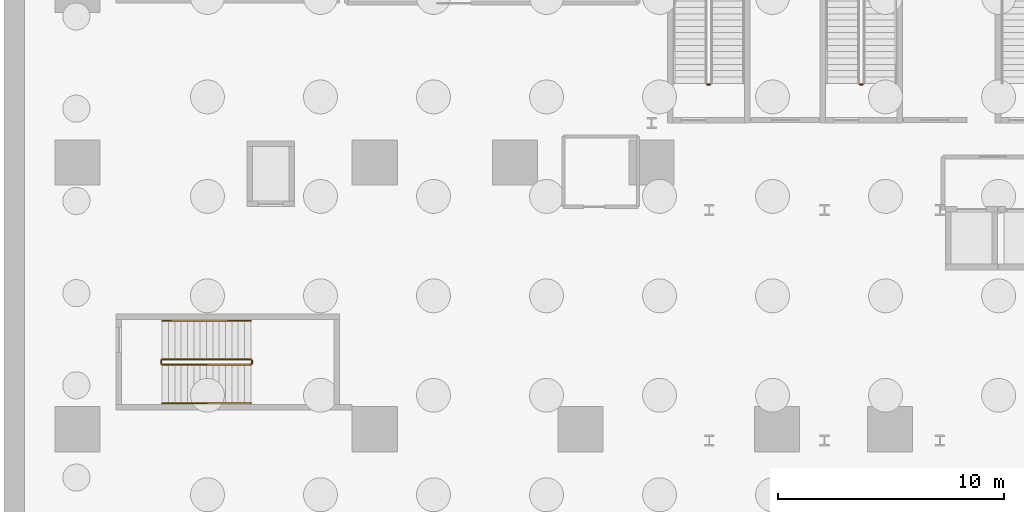
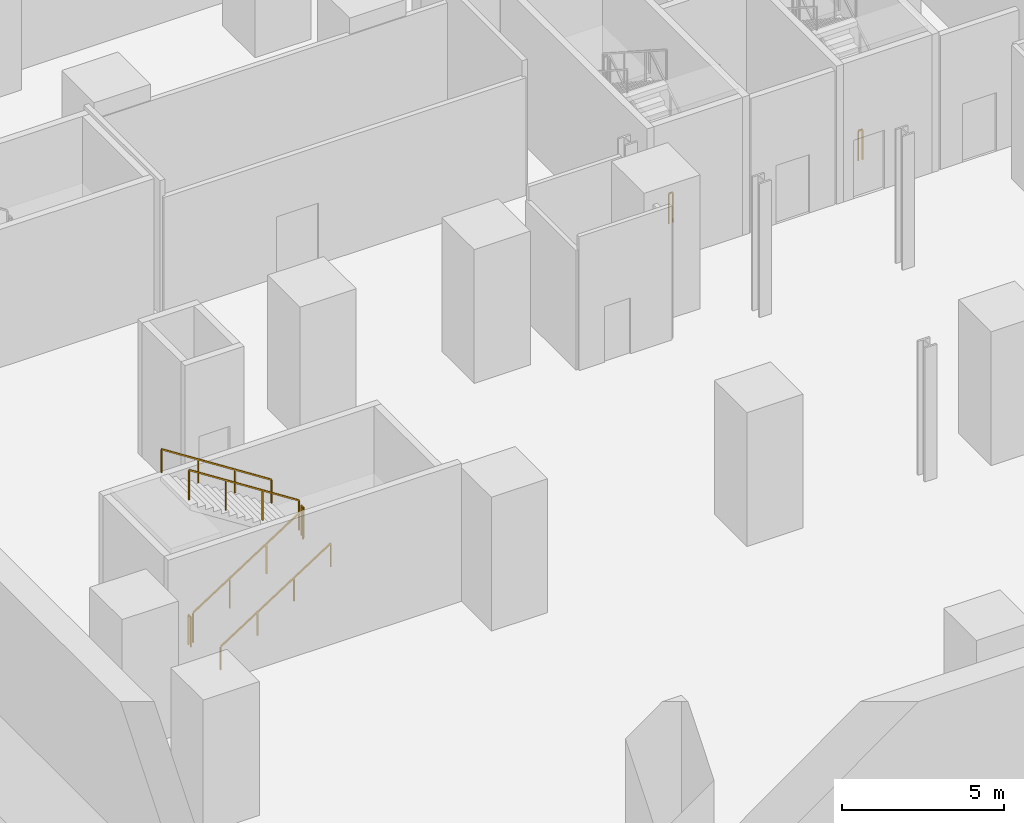
# One storey, part 8 of 14: 8 railings.
"""IFC4 building model written with IfcOpenShell, lengths in metres."""

from ifc_helpers import new_model, si_unit, direction, frame, origin, origin_2d, place, context, subcontext, project, spatial, rectangle, extrude, source, transform, mapped, material, type_object, element, save


model = new_model("IFC4")

# Units and contexts
model_context = context("Model", 3, precision=1e-05, world=origin(), true_north=direction((0.0, 1.0)))
body_context = subcontext(model_context, "Body", "Model", "MODEL_VIEW")
ifc_project = project(units=[si_unit("LENGTHUNIT", "METRE"), si_unit("AREAUNIT", "SQUARE_METRE"), si_unit("VOLUMEUNIT", "CUBIC_METRE"), si_unit("PLANEANGLEUNIT", "RADIAN"), si_unit("MASSUNIT", "GRAM", prefix="KILO")], contexts=[model_context])

# Site, building, storey
site_placement = place(None, origin())
site = spatial("IfcSite", under=ifc_project, at=site_placement, CompositionType="ELEMENT")
building_placement = place(site_placement, origin())
building = spatial("IfcBuilding", under=site, at=building_placement, Name="Vardaveli Station Tower", CompositionType="ELEMENT")
storey_placement = place(building_placement, frame((0.0, 0.0, -11.39990234375)))
storey = spatial("IfcBuildingStorey", under=building, at=storey_placement, Name="B02", CompositionType="ELEMENT", Elevation=-11.39990234375)

# Railings
ifc_material = material(Name="Brushed AISI 316 stainless steel", Category="steel")
railing_type_1 = type_object("IfcRailingType", Name="RL-GUARD-1150", PredefinedType="GUARDRAIL", material=ifc_material)
shared_shape_1 = source(origin(), body_context, "Body", "SweptSolid", [
    extrude(rectangle(XDim=0.048095703125, YDim=0.048095703125, at=origin_2d()), frame((0.0, 0.0, 1.1259765625), z_axis=(-1.0, 0.0, 0.0), x_axis=(0.0, -1.0, 0.0)), (0.0, 0.0, 1.0), 0.14990234375),
    extrude(rectangle(XDim=0.0419921875, YDim=0.0419921875, at=origin_2d()), origin(), (0.0, 0.0, 1.0), 1.101806640625),
    extrude(rectangle(XDim=0.0419921875, YDim=0.0419921875, at=origin_2d()), frame((-0.14990234375, 0.0, 0.0)), (0.0, 0.0, 1.0), 1.101806640625),
])
for number, where, name in (
    (1, (31.25, 32.35009765625, 0.0), "B02 ST-1 stair guard 4"),
    (2, (38.0, 32.35009765625, 0.0), "B02 ST-2 stair guard 4"),
):
    element("IfcRailing", number, at=place(storey_placement, frame(where)), inside=storey, type_object=railing_type_1, Name=name, PredefinedType="GUARDRAIL", context=body_context, shape_type="MappedRepresentation", body=[
        mapped(shared_shape_1, transform((0.0, 0.0, 0.0), scale=1.0)),
    ])
shared_shape_2 = source(origin(), body_context, "Body", "SweptSolid", [
    extrude(rectangle(XDim=0.048095703125, YDim=0.048095703125, at=origin_2d()), frame((0.0, 0.0, 1.1259765625), z_axis=(0.841171666519, 0.0, 0.540768182723), x_axis=(0.0, 1.0, 0.0)), (0.0, 0.0, 1.0), 4.66015625),
    extrude(rectangle(XDim=0.0419921875, YDim=0.0419921875, at=origin_2d()), origin(), (0.0, 0.0, 1.0), 1.101806640625),
    extrude(rectangle(XDim=0.0419921875, YDim=0.0419921875, at=origin_2d()), frame((1.306640625, 0.0, 0.840087890625)), (0.0, 0.0, 1.0), 1.101806640625),
    extrude(rectangle(XDim=0.0419921875, YDim=0.0419921875, at=origin_2d()), frame((2.61328125, 0.0, 1.679931640625)), (0.0, 0.0, 1.0), 1.101806640625),
    extrude(rectangle(XDim=0.0419921875, YDim=0.0419921875, at=origin_2d()), frame((3.919921875, 0.0, 2.52001953125)), (0.0, 0.0, 1.0), 1.101806640625),
])
railing_1_placement = place(storey_placement, frame((7.0, 19.949951171875, 0.179931640625)))
element("IfcRailing", 3, at=railing_1_placement, inside=storey, type_object=railing_type_1, Name="B02 ST-S1 stair guard 1", PredefinedType="GUARDRAIL", context=body_context, shape_type="MappedRepresentation", body=[
    mapped(shared_shape_2, transform((0.0, 0.0, 0.0), scale=1.0)),
])
shared_shape_3 = source(origin(), body_context, "Body", "SweptSolid", [
    extrude(rectangle(XDim=0.048095703125, YDim=0.048095703125, at=origin_2d()), frame((0.0, 0.0, 1.1259765625), z_axis=(0.0, 1.0, 0.0), x_axis=(-1.0, 0.0, 0.0)), (0.0, 0.0, 1.0), 0.14990234375),
    extrude(rectangle(XDim=0.0419921875, YDim=0.0419921875, at=origin_2d()), origin(), (0.0, 0.0, 1.0), 1.101806640625),
    extrude(rectangle(XDim=0.0419921875, YDim=0.0419921875, at=origin_2d()), frame((0.0, 0.14990234375, 0.0)), (0.0, 0.0, 1.0), 1.101806640625),
])
for number, where, name in (
    (4, (10.969970703125, 20.0, 2.699951171875), "B02 ST-S1 stair guard 2"),
    (5, (6.949951171875, 20.0, 0.0), "B02 ST-S1 stair guard 4"),
):
    element("IfcRailing", number, at=place(storey_placement, frame(where)), inside=storey, type_object=railing_type_1, Name=name, PredefinedType="GUARDRAIL", context=body_context, shape_type="MappedRepresentation", body=[
        mapped(shared_shape_3, transform((0.0, 0.0, 0.0), scale=1.0)),
    ])
shared_shape_4 = source(origin(), body_context, "Body", "SweptSolid", [
    extrude(rectangle(XDim=0.048095703125, YDim=0.048095703125, at=origin_2d()), frame((0.0, 0.0, 1.1259765625), z_axis=(-0.841171666519, 0.0, 0.540768182723), x_axis=(0.0, -1.0, 0.0)), (0.0, 0.0, 1.0), 4.66015625),
    extrude(rectangle(XDim=0.0419921875, YDim=0.0419921875, at=origin_2d()), origin(), (0.0, 0.0, 1.0), 1.101806640625),
    extrude(rectangle(XDim=0.0419921875, YDim=0.0419921875, at=origin_2d()), frame((-1.306640625, 0.0, 0.840087890625)), (0.0, 0.0, 1.0), 1.101806640625),
    extrude(rectangle(XDim=0.0419921875, YDim=0.0419921875, at=origin_2d()), frame((-2.61328125, 0.0, 1.679931640625)), (0.0, 0.0, 1.0), 1.101806640625),
    extrude(rectangle(XDim=0.0419921875, YDim=0.0419921875, at=origin_2d()), frame((-3.919921875, 0.0, 2.52001953125)), (0.0, 0.0, 1.0), 1.101806640625),
])
railing_2_placement = place(storey_placement, frame((10.919921875, 20.199951171875, 2.8798828125)))
element("IfcRailing", 6, at=railing_2_placement, inside=storey, type_object=railing_type_1, Name="B02 ST-S1 stair guard 3", PredefinedType="GUARDRAIL", context=body_context, shape_type="MappedRepresentation", body=[
    mapped(shared_shape_4, transform((0.0, 0.0, 0.0), scale=1.0)),
])
railing_type_2 = type_object("IfcRailingType", Name="RL-HAND-900", PredefinedType="HANDRAIL", material=ifc_material)
shared_shape_5 = source(origin(), body_context, "Body", "SweptSolid", [
    extrude(rectangle(XDim=0.048095703125, YDim=0.048095703125, at=origin_2d()), frame((0.0, 0.0, 0.8759765625), z_axis=(0.841171666519, 0.0, 0.540768182723), x_axis=(0.0, 1.0, 0.0)), (0.0, 0.0, 1.0), 4.66015625),
    extrude(rectangle(XDim=0.0419921875, YDim=0.0419921875, at=origin_2d()), origin(), (0.0, 0.0, 1.0), 0.851806640625),
    extrude(rectangle(XDim=0.0419921875, YDim=0.0419921875, at=origin_2d()), frame((1.306640625, 0.0, 0.840087890625)), (0.0, 0.0, 1.0), 0.851806640625),
    extrude(rectangle(XDim=0.0419921875, YDim=0.0419921875, at=origin_2d()), frame((2.61328125, 0.0, 1.679931640625)), (0.0, 0.0, 1.0), 0.851806640625),
    extrude(rectangle(XDim=0.0419921875, YDim=0.0419921875, at=origin_2d()), frame((3.919921875, 0.0, 2.52001953125)), (0.0, 0.0, 1.0), 0.851806640625),
])
railing_3_placement = place(storey_placement, frame((7.0, 18.25, 0.179931640625)))
element("IfcRailing", 7, at=railing_3_placement, inside=storey, type_object=railing_type_2, Name="B02 ST-S1 stair handrail 1", PredefinedType="HANDRAIL", context=body_context, shape_type="MappedRepresentation", body=[
    mapped(shared_shape_5, transform((0.0, 0.0, 0.0), scale=1.0)),
])
shared_shape_6 = source(origin(), body_context, "Body", "SweptSolid", [
    extrude(rectangle(XDim=0.048095703125, YDim=0.048095703125, at=origin_2d()), frame((0.0, 0.0, 0.8759765625), z_axis=(-0.841171666519, 0.0, 0.540768182723), x_axis=(0.0, -1.0, 0.0)), (0.0, 0.0, 1.0), 4.66015625),
    extrude(rectangle(XDim=0.0419921875, YDim=0.0419921875, at=origin_2d()), origin(), (0.0, 0.0, 1.0), 0.851806640625),
    extrude(rectangle(XDim=0.0419921875, YDim=0.0419921875, at=origin_2d()), frame((-1.306640625, 0.0, 0.840087890625)), (0.0, 0.0, 1.0), 0.851806640625),
    extrude(rectangle(XDim=0.0419921875, YDim=0.0419921875, at=origin_2d()), frame((-2.61328125, 0.0, 1.679931640625)), (0.0, 0.0, 1.0), 0.851806640625),
    extrude(rectangle(XDim=0.0419921875, YDim=0.0419921875, at=origin_2d()), frame((-3.919921875, 0.0, 2.52001953125)), (0.0, 0.0, 1.0), 0.851806640625),
])
railing_4_placement = place(storey_placement, frame((10.919921875, 21.89990234375, 2.8798828125)))
element("IfcRailing", 8, at=railing_4_placement, inside=storey, type_object=railing_type_2, Name="B02 ST-S1 stair handrail 2", PredefinedType="HANDRAIL", context=body_context, shape_type="MappedRepresentation", body=[
    mapped(shared_shape_6, transform((0.0, 0.0, 0.0), scale=1.0)),
])

save(model, "model.ifc")
